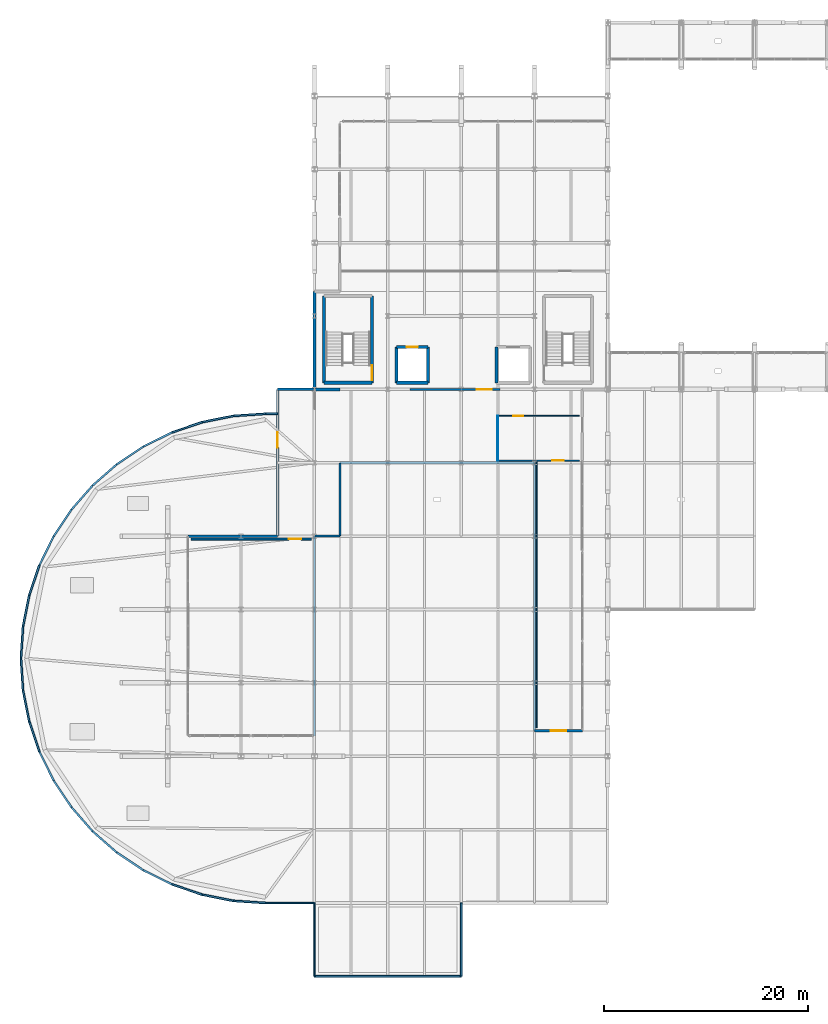
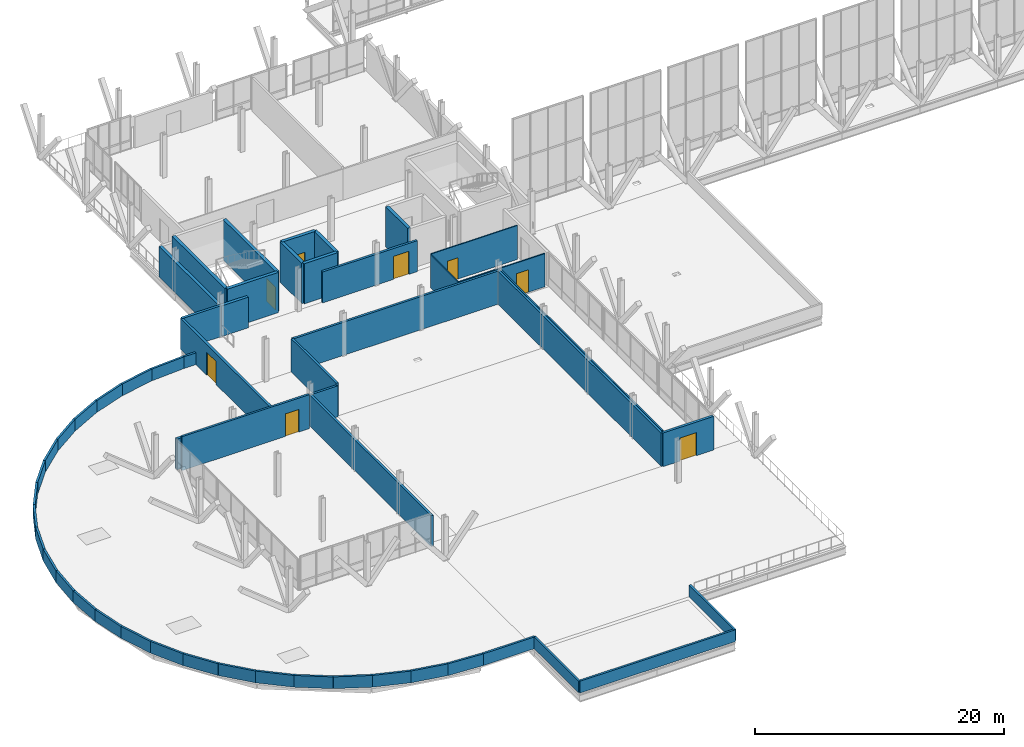
# One storey, part 91 of 102: 54 walls, 8 doors, 8 openings.
"""IFC4 building model written with IfcOpenShell, lengths in metres."""

from ifc_helpers import new_model, si_unit, direction, frame, frame_2d, origin, place, context, subcontext, project, spatial, rectangle, extrude, material, layer, layer_set, type_object, element, fill, save


model = new_model("IFC4")

# Units and contexts
model_context = context("Model", 3, precision=1e-05, world=origin(), true_north=direction((0.0, 1.0)))
body_context = subcontext(model_context, "Body", "Model", "MODEL_VIEW")
ifc_project = project(units=[si_unit("LENGTHUNIT", "METRE"), si_unit("AREAUNIT", "SQUARE_METRE"), si_unit("VOLUMEUNIT", "CUBIC_METRE"), si_unit("PLANEANGLEUNIT", "RADIAN"), si_unit("MASSUNIT", "GRAM", prefix="KILO")], contexts=[model_context])

# Site, building, storey
site_placement = place(None, origin())
site = spatial("IfcSite", under=ifc_project, at=site_placement, CompositionType="ELEMENT")
building_placement = place(site_placement, origin())
building = spatial("IfcBuilding", under=site, at=building_placement, Name="Yarey Park Central Fire Station", CompositionType="ELEMENT")
storey_placement = place(building_placement, frame((0.0, 0.0, 6.0)))
storey = spatial("IfcBuildingStorey", under=building, at=storey_placement, Name="L02", CompositionType="ELEMENT", Elevation=6.0)

# Walls
ifc_material_1 = material(Name="Concrete C35/45", Category="concrete")
ifc_layer_1 = layer(ifc_material_1, 0.280029296875)
ifc_layer_set_1 = layer_set([ifc_layer_1], Name="Concrete C35/45")
wall_type_1 = type_object("IfcWallType", Name="ENV_WALL_CMU280", PredefinedType="STANDARD", material=ifc_layer_set_1)
wall_1_placement = place(storey_placement, frame((28.800048828125, 67.199951171875, 0.0), z_axis=(0.0, 0.0, 1.0), x_axis=(0.0, -1.0, 0.0)))
element("IfcWall", 1, at=wall_1_placement, inside=storey, type_object=wall_type_1, Name="EW_L02_V3_W_CORE", PredefinedType="STANDARD", context=body_context, shape_type="SweptSolid", body=[
    extrude(rectangle(XDim=9.599853515625, YDim=0.280029296875, at=frame_2d((4.7998046875, 0.0))), origin(), (0.0, 0.0, 1.0), 3.0),
])
wall_2_placement = place(storey_placement, frame((28.800048828125, 57.60009765625, 0.0), z_axis=(0.0, 0.0, 1.0), x_axis=(1.0, 0.0, 0.0)))
element("IfcWall", 2, at=wall_2_placement, inside=storey, type_object=wall_type_1, Name="EW_L02_V3_STEP_S", PredefinedType="STANDARD", context=body_context, shape_type="SweptSolid", body=[
    extrude(rectangle(XDim=2.5, YDim=0.280029296875, at=frame_2d((1.25, 0.0))), origin(), (0.0, 0.0, 1.0), 3.0),
])
ifc_layer_2 = layer(ifc_material_1, 0.205078125)
ifc_layer_set_2 = layer_set([ifc_layer_2], Name="Concrete C35/45")
wall_type_2 = type_object("IfcWallType", Name="ENV_WALL_INS205", PredefinedType="STANDARD", material=ifc_layer_set_2)
wall_3_placement = place(storey_placement, frame((31.300048828125, 50.39990234375, 0.0), z_axis=(0.0, 0.0, 1.0), x_axis=(1.0, 0.0, 0.0)))
element("IfcWall", 3, at=wall_3_placement, inside=storey, type_object=wall_type_2, Name="EW_L02_CTYD_N", PredefinedType="STANDARD", context=body_context, shape_type="SweptSolid", body=[
    extrude(rectangle(XDim=19.099853515625, YDim=0.205078125, at=frame_2d((9.5498046875, 0.0))), origin(), (0.0, 0.0, 1.0), 3.2470703125),
])
wall_4_placement = place(storey_placement, frame((28.800048828125, 23.60009765625, 0.0), z_axis=(0.0, 0.0, 1.0), x_axis=(0.0, 1.0, 0.0)))
element("IfcWall", 4, at=wall_4_placement, inside=storey, type_object=wall_type_2, Name="EW_L02_CTYD_W1", PredefinedType="STANDARD", context=body_context, shape_type="SweptSolid", body=[
    extrude(rectangle(XDim=19.599853515625, YDim=0.205078125, at=frame_2d((9.7998046875, 0.0))), origin(), (0.0, 0.0, 1.0), 3.028076171875),
])
wall_5_placement = place(storey_placement, frame((31.300048828125, 43.199951171875, 0.0), z_axis=(0.0, 0.0, 1.0), x_axis=(0.0, 1.0, 0.0)))
element("IfcWall", 5, at=wall_5_placement, inside=storey, type_object=wall_type_2, Name="EW_L02_CTYD_W2", PredefinedType="STANDARD", context=body_context, shape_type="SweptSolid", body=[
    extrude(rectangle(XDim=7.199951171875, YDim=0.205078125, at=frame_2d((3.60009765625, 0.0))), origin(), (0.0, 0.0, 1.0), 3.2470703125),
])
wall_6_placement = place(storey_placement, frame((28.800048828125, 43.199951171875, 0.0), z_axis=(0.0, 0.0, 1.0), x_axis=(1.0, 0.0, 0.0)))
element("IfcWall", 6, at=wall_6_placement, inside=storey, type_object=wall_type_2, Name="EW_L02_CTYD_WS", PredefinedType="STANDARD", context=body_context, shape_type="SweptSolid", body=[
    extrude(rectangle(XDim=2.5, YDim=0.205078125, at=frame_2d((1.25, 0.0))), origin(), (0.0, 0.0, 1.0), 3.028076171875),
])
wall_7_placement = place(storey_placement, frame((50.39990234375, 50.39990234375, 0.0), z_axis=(0.0, 0.0, 1.0), x_axis=(0.0, -1.0, 0.0)))
element("IfcWall", 7, at=wall_7_placement, inside=storey, type_object=wall_type_2, Name="EW_L02_CTYD_E", PredefinedType="STANDARD", context=body_context, shape_type="SweptSolid", body=[
    extrude(rectangle(XDim=26.2998046875, YDim=0.205078125, at=frame_2d((13.14990234375, 0.0))), origin(), (0.0, 0.0, 1.0), 3.2470703125),
])

# Wall, opening, door
ifc_layer_3 = layer(ifc_material_1, 0.22998046875)
ifc_layer_set_3 = layer_set([ifc_layer_3], Name="Concrete C35/45")
wall_type_3 = type_object("IfcWallType", Name="ENV_WALL_INS230", PredefinedType="STANDARD", material=ifc_layer_set_3)
wall_8_placement = place(storey_placement, frame((25.199951171875, 57.60009765625, 0.0), z_axis=(0.0, 0.0, 1.0), x_axis=(0.0, -1.0, 0.0)))
wall_8 = element("IfcWall", 8, at=wall_8_placement, inside=storey, type_object=wall_type_3, Name="EW_L02_V1_DRUM_DOOR", PredefinedType="STANDARD", context=body_context, shape_type="SweptSolid", body=[
    extrude(rectangle(XDim=14.400146484375, YDim=0.22998046875, at=frame_2d((7.2001953125, 0.0))), origin(), (0.0, 0.0, 1.0), 3.028076171875),
])
opening_1_placement = place(wall_8_placement, frame((4.199951171875, 0.0, 0.0)))
opening_1 = element("IfcOpeningElement", 9, at=opening_1_placement, cuts=wall_8, Name="Opening TD-152", PredefinedType="OPENING", context=body_context, shape_type="SweptSolid", body=[
    extrude(rectangle(XDim=1.52001953125, YDim=2.260009765625, at=frame_2d((0.760009765625, 1.1298828125))), frame((0.0, 0.125, 0.0), z_axis=(0.0, -1.0, 0.0), x_axis=(1.0, 0.0, 0.0)), (0.0, 0.0, 1.0), 0.25),
])
ifc_material_2 = material(Name="Anodized Aluminium Frame", Category="aluminium")
door_type_1 = type_object("IfcDoorType", Name="ENV_DOOR_TER1520", OperationType="NOTDEFINED", PredefinedType="DOOR", material=ifc_material_2)
door_1_placement = place(opening_1_placement, origin())
door_1 = element("IfcDoor", 10, at=door_1_placement, inside=storey, type_object=door_type_1, Name="DOOR_L02_DRUM_TER", OperationType="SINGLE_SWING_LEFT", OverallHeight=2.260009765625, OverallWidth=1.52001953125, PredefinedType="DOOR", context=body_context, shape_type="SweptSolid", body=[
    extrude(rectangle(XDim=1.52001953125, YDim=2.260009765625, at=frame_2d((0.760009765625, 1.1298828125))), frame((0.0, 0.02490234375, 0.0), z_axis=(0.0, -1.0, 0.0), x_axis=(1.0, 0.0, 0.0)), (0.0, 0.0, 1.0), 0.050048828125),
])
fill(opening_1, door_1)

# Walls
wall_9_placement = place(storey_placement, frame((28.800048828125, 57.60009765625, 0.0), z_axis=(0.0, 0.0, 1.0), x_axis=(-1.0, 0.0, 0.0)))
element("IfcWall", 11, at=wall_9_placement, inside=storey, type_object=wall_type_3, Name="EW_L02_DRUM_N_CAP", PredefinedType="STANDARD", context=body_context, shape_type="SweptSolid", body=[
    extrude(rectangle(XDim=3.60009765625, YDim=0.22998046875, at=frame_2d((1.800048828125, 0.0))), origin(), (0.0, 0.0, 1.0), 3.028076171875),
])
wall_10_placement = place(storey_placement, frame((25.199951171875, 43.199951171875, 0.0), z_axis=(0.0, 0.0, 1.0), x_axis=(-1.0, 0.0, 0.0)))
element("IfcWall", 12, at=wall_10_placement, inside=storey, type_object=wall_type_3, Name="EW_L02_DRUM_N", PredefinedType="STANDARD", context=body_context, shape_type="SweptSolid", body=[
    extrude(rectangle(XDim=8.800048828125, YDim=0.22998046875, at=frame_2d((4.39990234375, 0.0))), origin(), (0.0, 0.0, 1.0), 3.028076171875),
])

# Wall, opening, door
wall_11_placement = place(storey_placement, frame((50.39990234375, 24.10009765625, 0.0), z_axis=(0.0, 0.0, 1.0), x_axis=(1.0, 0.0, 0.0)))
wall_11 = element("IfcWall", 13, at=wall_11_placement, inside=storey, type_object=wall_type_3, Name="EW_L02_V1_STER_DOOR", PredefinedType="STANDARD", context=body_context, shape_type="SweptSolid", body=[
    extrude(rectangle(XDim=4.7001953125, YDim=0.22998046875, at=frame_2d((2.35009765625, 0.0))), origin(), (0.0, 0.0, 1.0), 3.300048828125),
])
opening_2_placement = place(wall_11_placement, frame((1.590087890625, 0.0, 0.0)))
opening_2 = element("IfcOpeningElement", 14, at=opening_2_placement, cuts=wall_11, Name="Opening TD-152", PredefinedType="OPENING", context=body_context, shape_type="SweptSolid", body=[
    extrude(rectangle(XDim=1.52001953125, YDim=2.260009765625, at=frame_2d((0.760009765625, 1.1298828125))), frame((0.0, 0.125, 0.0), z_axis=(0.0, -1.0, 0.0), x_axis=(1.0, 0.0, 0.0)), (0.0, 0.0, 1.0), 0.25),
])
door_2_placement = place(opening_2_placement, origin())
door_2 = element("IfcDoor", 15, at=door_2_placement, inside=storey, type_object=door_type_1, Name="DOOR_L02_TER_PODIUM", OperationType="SINGLE_SWING_LEFT", OverallHeight=2.260009765625, OverallWidth=1.52001953125, PredefinedType="DOOR", context=body_context, shape_type="SweptSolid", body=[
    extrude(rectangle(XDim=1.52001953125, YDim=2.260009765625, at=frame_2d((0.760009765625, 1.1298828125))), frame((0.0, 0.02490234375, 0.0), z_axis=(0.0, -1.0, 0.0), x_axis=(1.0, 0.0, 0.0)), (0.0, 0.0, 1.0), 0.050048828125),
])
fill(opening_2, door_2)

# Walls
ifc_layer_4 = layer(ifc_material_1, 0.1650390625)
ifc_layer_set_4 = layer_set([ifc_layer_4], Name="Concrete C35/45")
wall_type_4 = type_object("IfcWallType", Name="ENV_WALL_PAR165", PredefinedType="PARAPET", material=ifc_layer_set_4)
wall_12_placement = place(storey_placement, frame((28.800048828125, 7.199951171875, 0.0), z_axis=(0.0, 0.0, 1.0), x_axis=(0.0, -1.0, 0.0)))
element("IfcWall", 16, at=wall_12_placement, inside=storey, type_object=wall_type_4, Name="PAR_L02_02", PredefinedType="PARAPET", context=body_context, shape_type="SweptSolid", body=[
    extrude(rectangle(XDim=7.199951171875, YDim=0.1650390625, at=frame_2d((3.60009765625, 0.0))), origin(), (0.0, 0.0, 1.0), 1.14990234375),
])
ifc_layer_5 = layer(ifc_material_1, 0.18505859375)
ifc_layer_set_5 = layer_set([ifc_layer_5], Name="Concrete C35/45")
wall_type_5 = type_object("IfcWallType", Name="ENV_WALL_PAR185", PredefinedType="PARAPET", material=ifc_layer_set_5)
wall_13_placement = place(storey_placement, frame((28.800048828125, 0.0, 0.0), z_axis=(0.0, 0.0, 1.0), x_axis=(1.0, 0.0, 0.0)))
element("IfcWall", 17, at=wall_13_placement, inside=storey, type_object=wall_type_5, Name="PAR_L02_01", PredefinedType="PARAPET", context=body_context, shape_type="SweptSolid", body=[
    extrude(rectangle(XDim=14.39990234375, YDim=0.18505859375, at=frame_2d((7.199951171875, 0.0))), origin(), (0.0, 0.0, 1.0), 1.14990234375),
])
wall_14_placement = place(storey_placement, frame((43.199951171875, 0.0, 0.0), z_axis=(0.0, 0.0, 1.0), x_axis=(0.0, 1.0, 0.0)))
element("IfcWall", 18, at=wall_14_placement, inside=storey, type_object=wall_type_5, Name="PAR_L02_03", PredefinedType="PARAPET", context=body_context, shape_type="SweptSolid", body=[
    extrude(rectangle(XDim=7.199951171875, YDim=0.18505859375, at=frame_2d((3.60009765625, 0.0))), origin(), (0.0, 0.0, 1.0), 1.14990234375),
])
wall_15_placement = place(storey_placement, frame((25.199951171875, 55.199951171875, 0.0), z_axis=(0.0, 0.0, 1.0), x_axis=(-1.0, 0.0, 0.0)))
element("IfcWall", 19, at=wall_15_placement, inside=storey, type_object=wall_type_5, Name="PAR_L02_DRUM_N_NECK", PredefinedType="PARAPET", context=body_context, shape_type="SweptSolid", body=[
    extrude(rectangle(XDim=1.199951171875, YDim=0.18505859375, at=frame_2d((0.60009765625, 0.0))), origin(), (0.0, 0.0, 1.0), 1.14990234375),
])
wall_16_placement = place(storey_placement, frame((24.0, 7.199951171875, 0.0), z_axis=(0.0, 0.0, 1.0), x_axis=(1.0, 0.0, 0.0)))
element("IfcWall", 20, at=wall_16_placement, inside=storey, type_object=wall_type_5, Name="PAR_L02_DRUM_S_NECK", PredefinedType="PARAPET", context=body_context, shape_type="SweptSolid", body=[
    extrude(rectangle(XDim=4.800048828125, YDim=0.18505859375, at=frame_2d((2.39990234375, 0.0))), origin(), (0.0, 0.0, 1.0), 1.14990234375),
])
for number, where, z_axis, x_axis, name in (
    (21, (24.0, 55.199951171875, 0.0), (0.0, 0.0, 1.0), (-0.997858863202, -0.065404045199, 0.0), "PAR_L02_DRUM_01"),
    (22, (20.867431640625, 54.99462890625, 0.0), (0.0, 0.0, 1.0), (-0.980795438829, -0.19503924521, 0.0), "PAR_L02_DRUM_02"),
    (23, (17.788330078125, 54.38232421875, 0.0), (0.0, 0.0, 1.0), (-0.946911073777, -0.321495596172, 0.0), "PAR_L02_DRUM_03"),
    (24, (14.815673828125, 53.373046875, 0.0), (0.0, 0.0, 1.0), (-0.896886505581, -0.442260778396, 0.0), "PAR_L02_DRUM_04"),
    (25, (12.0, 51.984619140625, 0.0), (0.0, 0.0, 1.0), (-0.831475575397, -0.555561308514, 0.0), "PAR_L02_DRUM_05"),
):
    element("IfcWall", number, at=place(storey_placement, frame(where, z_axis=z_axis, x_axis=x_axis)), inside=storey, type_object=wall_type_5, Name=name, PredefinedType="PARAPET", context=body_context, shape_type="SweptSolid", body=[
        extrude(rectangle(XDim=3.139404296875, YDim=0.18505859375, at=frame_2d((1.56982421875, 0.0))), origin(), (0.0, 0.0, 1.0), 1.14990234375),
    ])
wall_17_placement = place(storey_placement, frame((9.3896484375, 50.240478515625, 0.0), z_axis=(0.0, 0.0, 1.0), x_axis=(-0.751829454472, -0.659357620255, 0.0)))
element("IfcWall", 26, at=wall_17_placement, inside=storey, type_object=wall_type_5, Name="PAR_L02_DRUM_06", PredefinedType="PARAPET", context=body_context, shape_type="SweptSolid", body=[
    extrude(rectangle(XDim=3.13916015625, YDim=0.18505859375, at=frame_2d((1.569580078125, 0.0))), origin(), (0.0, 0.0, 1.0), 1.14990234375),
])
for number, where, z_axis, x_axis, name in (
    (27, (7.029541015625, 48.170654296875, 0.0), (0.0, 0.0, 1.0), (-0.659363026646, -0.75182471301, 0.0), "PAR_L02_DRUM_07"),
    (28, (4.95947265625, 45.810302734375, 0.0), (0.0, 0.0, 1.0), (-0.555561308514, -0.831475575397, 0.0), "PAR_L02_DRUM_08"),
):
    element("IfcWall", number, at=place(storey_placement, frame(where, z_axis=z_axis, x_axis=x_axis)), inside=storey, type_object=wall_type_5, Name=name, PredefinedType="PARAPET", context=body_context, shape_type="SweptSolid", body=[
        extrude(rectangle(XDim=3.139404296875, YDim=0.18505859375, at=frame_2d((1.56982421875, 0.0))), origin(), (0.0, 0.0, 1.0), 1.14990234375),
    ])
wall_18_placement = place(storey_placement, frame((3.21533203125, 43.199951171875, 0.0), z_axis=(0.0, 0.0, 1.0), x_axis=(-0.442291627156, -0.896871293189, 0.0)))
element("IfcWall", 29, at=wall_18_placement, inside=storey, type_object=wall_type_5, Name="PAR_L02_DRUM_09", PredefinedType="PARAPET", context=body_context, shape_type="SweptSolid", body=[
    extrude(rectangle(XDim=3.13916015625, YDim=0.18505859375, at=frame_2d((1.569580078125, 0.0))), origin(), (0.0, 0.0, 1.0), 1.14990234375),
])
for number, where, z_axis, x_axis, name in (
    (30, (1.826904296875, 40.384521484375, 0.0), (0.0, 0.0, 1.0), (-0.321402193691, -0.946942780685, 0.0), "PAR_L02_DRUM_10"),
    (31, (0.81787109375, 37.41162109375, 0.0), (0.0, 0.0, 1.0), (-0.195114052077, -0.980780559902, 0.0), "PAR_L02_DRUM_11"),
    (32, (0.205322265625, 34.33251953125, 0.0), (0.0, 0.0, 1.0), (-0.065404045199, -0.997858863202, 0.0), "PAR_L02_DRUM_12"),
    (33, (0.0, 31.199951171875, 0.0), (0.0, 0.0, 1.0), (0.065404045199, -0.997858863202, 0.0), "PAR_L02_DRUM_13"),
    (34, (0.205322265625, 28.0673828125, 0.0), (0.0, 0.0, 1.0), (0.195114052077, -0.980780559902, 0.0), "PAR_L02_DRUM_14"),
):
    element("IfcWall", number, at=place(storey_placement, frame(where, z_axis=z_axis, x_axis=x_axis)), inside=storey, type_object=wall_type_5, Name=name, PredefinedType="PARAPET", context=body_context, shape_type="SweptSolid", body=[
        extrude(rectangle(XDim=3.139404296875, YDim=0.18505859375, at=frame_2d((1.56982421875, 0.0))), origin(), (0.0, 0.0, 1.0), 1.14990234375),
    ])
wall_19_placement = place(storey_placement, frame((0.81787109375, 24.98828125, 0.0), z_axis=(0.0, 0.0, 1.0), x_axis=(0.32142586303, -0.946934746736, 0.0)))
element("IfcWall", 35, at=wall_19_placement, inside=storey, type_object=wall_type_5, Name="PAR_L02_DRUM_15", PredefinedType="PARAPET", context=body_context, shape_type="SweptSolid", body=[
    extrude(rectangle(XDim=3.13916015625, YDim=0.18505859375, at=frame_2d((1.569580078125, 0.0))), origin(), (0.0, 0.0, 1.0), 1.14990234375),
])
wall_20_placement = place(storey_placement, frame((1.826904296875, 22.015625, 0.0), z_axis=(0.0, 0.0, 1.0), x_axis=(0.442260778396, -0.896886505581, 0.0)))
element("IfcWall", 36, at=wall_20_placement, inside=storey, type_object=wall_type_5, Name="PAR_L02_DRUM_16", PredefinedType="PARAPET", context=body_context, shape_type="SweptSolid", body=[
    extrude(rectangle(XDim=3.139404296875, YDim=0.18505859375, at=frame_2d((1.56982421875, 0.0))), origin(), (0.0, 0.0, 1.0), 1.14990234375),
])
wall_21_placement = place(storey_placement, frame((3.21533203125, 19.199951171875, 0.0), z_axis=(0.0, 0.0, 1.0), x_axis=(0.555597233272, -0.831451570676, 0.0)))
element("IfcWall", 37, at=wall_21_placement, inside=storey, type_object=wall_type_5, Name="PAR_L02_DRUM_17", PredefinedType="PARAPET", context=body_context, shape_type="SweptSolid", body=[
    extrude(rectangle(XDim=3.13916015625, YDim=0.18505859375, at=frame_2d((1.569580078125, 0.0))), origin(), (0.0, 0.0, 1.0), 1.14990234375),
])
for number, where, z_axis, x_axis, name in (
    (38, (4.95947265625, 16.58984375, 0.0), (0.0, 0.0, 1.0), (0.659363026646, -0.75182471301, 0.0), "PAR_L02_DRUM_18"),
    (39, (7.029541015625, 14.2294921875, 0.0), (0.0, 0.0, 1.0), (0.751790901293, -0.659401577745, 0.0), "PAR_L02_DRUM_19"),
    (40, (9.3896484375, 12.159423828125, 0.0), (0.0, 0.0, 1.0), (0.831475575397, -0.555561308514, 0.0), "PAR_L02_DRUM_20"),
    (41, (12.0, 10.415283203125, 0.0), (0.0, 0.0, 1.0), (0.896886505581, -0.442260778396, 0.0), "PAR_L02_DRUM_21"),
):
    element("IfcWall", number, at=place(storey_placement, frame(where, z_axis=z_axis, x_axis=x_axis)), inside=storey, type_object=wall_type_5, Name=name, PredefinedType="PARAPET", context=body_context, shape_type="SweptSolid", body=[
        extrude(rectangle(XDim=3.139404296875, YDim=0.18505859375, at=frame_2d((1.56982421875, 0.0))), origin(), (0.0, 0.0, 1.0), 1.14990234375),
    ])
wall_22_placement = place(storey_placement, frame((14.815673828125, 9.02685546875, 0.0), z_axis=(0.0, 0.0, 1.0), x_axis=(0.946934746736, -0.32142586303, 0.0)))
element("IfcWall", 42, at=wall_22_placement, inside=storey, type_object=wall_type_5, Name="PAR_L02_DRUM_22", PredefinedType="PARAPET", context=body_context, shape_type="SweptSolid", body=[
    extrude(rectangle(XDim=3.13916015625, YDim=0.18505859375, at=frame_2d((1.569580078125, 0.0))), origin(), (0.0, 0.0, 1.0), 1.14990234375),
])
for number, where, z_axis, x_axis, name in (
    (43, (17.788330078125, 8.017822265625, 0.0), (0.0, 0.0, 1.0), (0.980780559902, -0.195114052077, 0.0), "PAR_L02_DRUM_23"),
    (44, (20.867431640625, 7.4052734375, 0.0), (0.0, 0.0, 1.0), (0.997858863202, -0.065404045199, 0.0), "PAR_L02_DRUM_24"),
):
    element("IfcWall", number, at=place(storey_placement, frame(where, z_axis=z_axis, x_axis=x_axis)), inside=storey, type_object=wall_type_5, Name=name, PredefinedType="PARAPET", context=body_context, shape_type="SweptSolid", body=[
        extrude(rectangle(XDim=3.139404296875, YDim=0.18505859375, at=frame_2d((1.56982421875, 0.0))), origin(), (0.0, 0.0, 1.0), 1.14990234375),
    ])
ifc_material_3 = material(Name="Concrete C40/50", Category="concrete")
ifc_layer_6 = layer(ifc_material_3, 0.27001953125)
ifc_layer_set_6 = layer_set([ifc_layer_6], Name="Concrete C40/50")
wall_type_6 = type_object("IfcWallType", Name="INT_CORE_RC270", PredefinedType="SHEAR", material=ifc_layer_set_6)
wall_23_placement = place(storey_placement, frame((36.85009765625, 58.25, 0.0), z_axis=(0.0, 0.0, 1.0), x_axis=(1.0, 0.0, 0.0)))
element("IfcWall", 45, at=wall_23_placement, inside=storey, type_object=wall_type_6, Name="LWALL_C3_L02_S", PredefinedType="SHEAR", context=body_context, shape_type="SweptSolid", body=[
    extrude(rectangle(XDim=3.099853515625, YDim=0.300048828125, at=frame_2d((1.5498046875, 0.0))), origin(), (0.0, 0.0, 1.0), 3.93994140625),
])

# Wall, opening, door
wall_24_placement = place(storey_placement, frame((39.949951171875, 61.75, 0.0), z_axis=(0.0, 0.0, 1.0), x_axis=(-1.0, 0.0, 0.0)))
wall_24 = element("IfcWall", 46, at=wall_24_placement, inside=storey, type_object=wall_type_6, Name="LWALL_C3_L02_N", PredefinedType="SHEAR", context=body_context, shape_type="SweptSolid", body=[
    extrude(rectangle(XDim=3.099853515625, YDim=0.300048828125, at=frame_2d((1.5498046875, 0.0))), origin(), (0.0, 0.0, 1.0), 3.93994140625),
])
opening_3_placement = place(wall_24_placement, frame((1.0, 0.0, 0.0)))
opening_3 = element("IfcOpeningElement", 47, at=opening_3_placement, cuts=wall_24, Name="Opening LD-11", PredefinedType="OPENING", context=body_context, shape_type="SweptSolid", body=[
    extrude(rectangle(XDim=1.10009765625, YDim=2.219970703125, at=frame_2d((0.550048828125, 1.10986328125))), frame((0.0, 0.159912109375, 0.0), z_axis=(0.0, -1.0, 0.0), x_axis=(1.0, 0.0, 0.0)), (0.0, 0.0, 1.0), 0.320068359375),
])
ifc_material_4 = material(Name="Stainless Steel AISI 316L", Category="steel")
door_type_2 = type_object("IfcDoorType", Name="DR_LD_1100", OperationType="NOTDEFINED", PredefinedType="DOOR", material=ifc_material_4)
door_3_placement = place(opening_3_placement, origin())
door_3 = element("IfcDoor", 48, at=door_3_placement, inside=storey, type_object=door_type_2, Name="Lift Landing Door LF-3-L02", OperationType="SLIDING_TO_LEFT", OverallHeight=2.219970703125, OverallWidth=1.10009765625, PredefinedType="DOOR", context=body_context, shape_type="SweptSolid", body=[
    extrude(rectangle(XDim=1.10009765625, YDim=2.219970703125, at=frame_2d((0.550048828125, 1.10986328125))), frame((0.0, 0.02490234375, 0.0), z_axis=(0.0, -1.0, 0.0), x_axis=(1.0, 0.0, 0.0)), (0.0, 0.0, 1.0), 0.050048828125),
])
fill(opening_3, door_3)

# Walls
for number, where, z_axis, x_axis, name in (
    (49, (36.85009765625, 61.75, 0.0), (0.0, 0.0, 1.0), (0.0, -1.0, 0.0), "LWALL_C3_L02_W"),
    (50, (39.949951171875, 58.25, 0.0), (0.0, 0.0, 1.0), (0.0, 1.0, 0.0), "LWALL_C3_L02_E"),
    (51, (46.64990234375, 61.75, 0.0), (0.0, 0.0, 1.0), (0.0, -1.0, 0.0), "LWALL_C4_L02_W"),
):
    element("IfcWall", number, at=place(storey_placement, frame(where, z_axis=z_axis, x_axis=x_axis)), inside=storey, type_object=wall_type_6, Name=name, PredefinedType="SHEAR", context=body_context, shape_type="SweptSolid", body=[
        extrude(rectangle(XDim=3.5, YDim=0.300048828125, at=frame_2d((1.75, 0.0))), origin(), (0.0, 0.0, 1.0), 3.93994140625),
    ])
ifc_layer_7 = layer(ifc_material_3, 0.300048828125)
ifc_layer_set_7 = layer_set([ifc_layer_7], Name="Concrete C40/50")
wall_type_7 = type_object("IfcWallType", Name="INT_CORE_RC300", PredefinedType="SHEAR", material=ifc_layer_set_7)
wall_25_placement = place(storey_placement, frame((29.75, 58.25, 0.0), z_axis=(0.0, 0.0, 1.0), x_axis=(1.0, 0.0, 0.0)))
element("IfcWall", 52, at=wall_25_placement, inside=storey, type_object=wall_type_7, Name="CWALL_C3_L02_S", PredefinedType="SHEAR", context=body_context, shape_type="SweptSolid", body=[
    extrude(rectangle(XDim=4.699951171875, YDim=0.300048828125, at=frame_2d((2.35009765625, 0.0))), origin(), (0.0, 0.0, 1.0), 3.93994140625),
])
wall_26_placement = place(storey_placement, frame((29.75, 66.75, 0.0), z_axis=(0.0, 0.0, 1.0), x_axis=(0.0, -1.0, 0.0)))
element("IfcWall", 53, at=wall_26_placement, inside=storey, type_object=wall_type_7, Name="CWALL_C3_L02_W", PredefinedType="SHEAR", context=body_context, shape_type="SweptSolid", body=[
    extrude(rectangle(XDim=8.5, YDim=0.300048828125, at=frame_2d((4.25, 0.0))), origin(), (0.0, 0.0, 1.0), 3.93994140625),
])

# Wall, opening, door
wall_27_placement = place(storey_placement, frame((34.449951171875, 58.25, 0.0), z_axis=(0.0, 0.0, 1.0), x_axis=(0.0, 1.0, 0.0)))
wall_27 = element("IfcWall", 54, at=wall_27_placement, inside=storey, type_object=wall_type_7, Name="CWALL_C3_L02_E", PredefinedType="SHEAR", context=body_context, shape_type="SweptSolid", body=[
    extrude(rectangle(XDim=8.5, YDim=0.300048828125, at=frame_2d((4.25, 0.0))), origin(), (0.0, 0.0, 1.0), 3.93994140625),
])
opening_4_placement = place(wall_27_placement, frame((0.25, 0.0, 0.0)))
opening_4 = element("IfcOpeningElement", 55, at=opening_4_placement, cuts=wall_27, Name="Opening SD-146", PredefinedType="OPENING", context=body_context, shape_type="SweptSolid", body=[
    extrude(rectangle(XDim=1.4599609375, YDim=2.239990234375, at=frame_2d((0.72998046875, 1.1201171875))), frame((0.0, 0.159912109375, 0.0), z_axis=(0.0, -1.0, 0.0), x_axis=(1.0, 0.0, 0.0)), (0.0, 0.0, 1.0), 0.320068359375),
])
ifc_material_5 = material(Name="Galvanized Hollow Metal Door", Category="metal")
door_type_3 = type_object("IfcDoorType", Name="DR_STAIR_1460", OperationType="NOTDEFINED", PredefinedType="DOOR", material=ifc_material_5)
door_4_placement = place(opening_4_placement, origin())
door_4 = element("IfcDoor", 56, at=door_4_placement, inside=storey, type_object=door_type_3, Name="DOOR_STAIR_C3_L02", OperationType="SINGLE_SWING_RIGHT", OverallHeight=2.239990234375, OverallWidth=1.4599609375, PredefinedType="DOOR", context=body_context, shape_type="SweptSolid", body=[
    extrude(rectangle(XDim=1.4599609375, YDim=2.239990234375, at=frame_2d((0.72998046875, 1.1201171875))), frame((0.0, 0.02490234375, 0.0), z_axis=(0.0, -1.0, 0.0), x_axis=(1.0, 0.0, 0.0)), (0.0, 0.0, 1.0), 0.050048828125),
])
fill(opening_4, door_4)

ifc_layer_8 = layer(ifc_material_1, 0.18994140625)
ifc_layer_set_8 = layer_set([ifc_layer_8], Name="Concrete C35/45")
wall_type_8 = type_object("IfcWallType", Name="INT_WALL_CMU190", PredefinedType="STANDARD", material=ifc_layer_set_8)
wall_28_placement = place(storey_placement, frame((28.5, 42.89990234375, 0.0), z_axis=(0.0, 0.0, 1.0), x_axis=(-1.0, 0.0, 0.0)))
wall_28 = element("IfcWall", 57, at=wall_28_placement, inside=storey, type_object=wall_type_8, Name="PART_SPC_L02_BAMAZE_NORTH", PredefinedType="STANDARD", context=body_context, shape_type="SweptSolid", body=[
    extrude(rectangle(XDim=11.800048828125, YDim=0.18994140625, at=frame_2d((5.89990234375, 0.0))), origin(), (0.0, 0.0, 1.0), 3.327880859375),
])
opening_5_placement = place(wall_28_placement, frame((0.969970703125, 0.0, 0.0)))
opening_5 = element("IfcOpeningElement", 58, at=opening_5_placement, cuts=wall_28, Name="Opening FD-126", PredefinedType="OPENING", context=body_context, shape_type="SweptSolid", body=[
    extrude(rectangle(XDim=1.260009765625, YDim=2.219970703125, at=frame_2d((0.6298828125, 1.10986328125))), frame((0.0, 0.10498046875, 0.0), z_axis=(0.0, -1.0, 0.0), x_axis=(1.0, 0.0, 0.0)), (0.0, 0.0, 1.0), 0.2099609375),
])
door_type_4 = type_object("IfcDoorType", Name="DR_FD_1260", OperationType="NOTDEFINED", PredefinedType="DOOR", material=ifc_material_5)
door_5_placement = place(opening_5_placement, origin())
door_5 = element("IfcDoor", 59, at=door_5_placement, inside=storey, type_object=door_type_4, Name="DOOR_SPC_L02_BAMAZE", OperationType="SINGLE_SWING_LEFT", OverallHeight=2.219970703125, OverallWidth=1.260009765625, PredefinedType="DOOR", context=body_context, shape_type="SweptSolid", body=[
    extrude(rectangle(XDim=1.260009765625, YDim=2.219970703125, at=frame_2d((0.6298828125, 1.10986328125))), frame((0.0, 0.02490234375, 0.0), z_axis=(0.0, -1.0, 0.0), x_axis=(1.0, 0.0, 0.0)), (0.0, 0.0, 1.0), 0.050048828125),
])
fill(opening_5, door_5)

ifc_layer_9 = layer(ifc_material_1, 0.215087890625)
ifc_layer_set_9 = layer_set([ifc_layer_9], Name="Concrete C35/45")
wall_type_9 = type_object("IfcWallType", Name="INT_WALL_FB215", PredefinedType="STANDARD", material=ifc_layer_set_9)
wall_29_placement = place(storey_placement, frame((38.199951171875, 57.60009765625, 0.0), z_axis=(0.0, 0.0, 1.0), x_axis=(1.0, 0.0, 0.0)))
wall_29 = element("IfcWall", 60, at=wall_29_placement, inside=storey, type_object=wall_type_9, Name="IW_L02_SOUTH_LOBBY", PredefinedType="STANDARD", context=body_context, shape_type="SweptSolid", body=[
    extrude(rectangle(XDim=8.800048828125, YDim=0.215087890625, at=frame_2d((4.39990234375, 0.0))), origin(), (0.0, 0.0, 1.0), 3.028076171875),
])
opening_6_placement = place(wall_29_placement, frame((6.550048828125, 0.0, 0.0)))
opening_6 = element("IfcOpeningElement", 61, at=opening_6_placement, cuts=wall_29, Name="Opening FD-146", PredefinedType="OPENING", context=body_context, shape_type="SweptSolid", body=[
    extrude(rectangle(XDim=1.4599609375, YDim=2.260009765625, at=frame_2d((0.72998046875, 1.1298828125))), frame((0.0, 0.117431640625, 0.0), z_axis=(0.0, -1.0, 0.0), x_axis=(1.0, 0.0, 0.0)), (0.0, 0.0, 1.0), 0.235107421875),
])
door_type_5 = type_object("IfcDoorType", Name="DR_FD_1460", OperationType="NOTDEFINED", PredefinedType="DOOR", material=ifc_material_5)
door_6_placement = place(opening_6_placement, origin())
door_6 = element("IfcDoor", 62, at=door_6_placement, inside=storey, type_object=door_type_5, Name="DOOR_L02_SOUTH_LOBBY", OperationType="SINGLE_SWING_RIGHT", OverallHeight=2.260009765625, OverallWidth=1.4599609375, PredefinedType="DOOR", context=body_context, shape_type="SweptSolid", body=[
    extrude(rectangle(XDim=1.4599609375, YDim=2.260009765625, at=frame_2d((0.72998046875, 1.1298828125))), frame((0.0, 0.02490234375, 0.0), z_axis=(0.0, -1.0, 0.0), x_axis=(1.0, 0.0, 0.0)), (0.0, 0.0, 1.0), 0.050048828125),
])
fill(opening_6, door_6)

# Wall
ifc_material_6 = material(Name="Gypsum Acoustic Partition", Category="gypsum")
ifc_layer_10 = layer(ifc_material_6, 0.0859375)
ifc_layer_set_10 = layer_set([ifc_layer_10], Name="Gypsum Acoustic Partition")
wall_type_10 = type_object("IfcWallType", Name="INT_WALL_PT086", PredefinedType="STANDARD", material=ifc_layer_set_10)
wall_30_placement = place(storey_placement, frame((46.800048828125, 55.0, 0.0), z_axis=(0.0, 0.0, 1.0), x_axis=(0.0, -1.0, 0.0)))
element("IfcWall", 63, at=wall_30_placement, inside=storey, type_object=wall_type_10, Name="PART_SPC_L02_V3_WC_WEST", PredefinedType="STANDARD", context=body_context, shape_type="SweptSolid", body=[
    extrude(rectangle(XDim=4.39990234375, YDim=0.0859375, at=frame_2d((2.199951171875, 0.0))), origin(), (0.0, 0.0, 1.0), 3.2470703125),
])

# Wall, opening, door
ifc_layer_11 = layer(ifc_material_6, 0.10205078125)
ifc_layer_set_11 = layer_set([ifc_layer_11], Name="Gypsum Acoustic Partition")
wall_type_11 = type_object("IfcWallType", Name="INT_WALL_PT102", PredefinedType="STANDARD", material=ifc_layer_set_11)
wall_31_placement = place(storey_placement, frame((54.800048828125, 55.0, 0.0), z_axis=(0.0, 0.0, 1.0), x_axis=(-1.0, 0.0, 0.0)))
wall_31 = element("IfcWall", 64, at=wall_31_placement, inside=storey, type_object=wall_type_11, Name="PART_SPC_L02_V3_WC_NORTH", PredefinedType="STANDARD", context=body_context, shape_type="SweptSolid", body=[
    extrude(rectangle(XDim=8.0, YDim=0.10205078125, at=frame_2d((4.0, 0.0))), origin(), (0.0, 0.0, 1.0), 3.327880859375),
])
opening_7_placement = place(wall_31_placement, frame((5.52001953125, 0.0, 0.0)))
opening_7 = element("IfcOpeningElement", 65, at=opening_7_placement, cuts=wall_31, Name="Opening WD-096", PredefinedType="OPENING", context=body_context, shape_type="SweptSolid", body=[
    extrude(rectangle(XDim=0.9599609375, YDim=2.10009765625, at=frame_2d((0.47998046875, 1.050048828125))), frame((0.0, 0.06103515625, 0.0), z_axis=(0.0, -1.0, 0.0), x_axis=(1.0, 0.0, 0.0)), (0.0, 0.0, 1.0), 0.1220703125),
])
ifc_material_7 = material(Name="Phenolic Moisture-Resistant Leaf", Category="wood")
door_type_6 = type_object("IfcDoorType", Name="DR_WC_960", OperationType="NOTDEFINED", PredefinedType="DOOR", material=ifc_material_7)
door_7_placement = place(opening_7_placement, origin())
door_7 = element("IfcDoor", 66, at=door_7_placement, inside=storey, type_object=door_type_6, Name="DOOR_SPC_L02_V3_WC", OperationType="SINGLE_SWING_RIGHT", OverallHeight=2.10009765625, OverallWidth=0.9599609375, PredefinedType="DOOR", context=body_context, shape_type="SweptSolid", body=[
    extrude(rectangle(XDim=0.9599609375, YDim=2.10009765625, at=frame_2d((0.47998046875, 1.050048828125))), frame((0.0, 0.02490234375, 0.0), z_axis=(0.0, -1.0, 0.0), x_axis=(1.0, 0.0, 0.0)), (0.0, 0.0, 1.0), 0.050048828125),
])
fill(opening_7, door_7)

ifc_layer_12 = layer(ifc_material_6, 0.117919921875)
ifc_layer_set_12 = layer_set([ifc_layer_12], Name="Gypsum Acoustic Partition")
wall_type_12 = type_object("IfcWallType", Name="INT_WALL_PT118", PredefinedType="STANDARD", material=ifc_layer_set_12)
wall_32_placement = place(storey_placement, frame((46.800048828125, 50.60009765625, 0.0), z_axis=(0.0, 0.0, 1.0), x_axis=(1.0, 0.0, 0.0)))
wall_32 = element("IfcWall", 67, at=wall_32_placement, inside=storey, type_object=wall_type_12, Name="PART_SPC_L02_V3_WC_SOUTH", PredefinedType="STANDARD", context=body_context, shape_type="SweptSolid", body=[
    extrude(rectangle(XDim=8.0, YDim=0.117919921875, at=frame_2d((4.0, 0.0))), origin(), (0.0, 0.0, 1.0), 3.2470703125),
])
opening_8_placement = place(wall_32_placement, frame((5.330078125, 0.0, 0.0)))
opening_8 = element("IfcOpeningElement", 68, at=opening_8_placement, cuts=wall_32, Name="Opening ID-114", PredefinedType="OPENING", context=body_context, shape_type="SweptSolid", body=[
    extrude(rectangle(XDim=1.139892578125, YDim=2.199951171875, at=frame_2d((0.56982421875, 1.10009765625))), frame((0.0, 0.06884765625, 0.0), z_axis=(0.0, -1.0, 0.0), x_axis=(1.0, 0.0, 0.0)), (0.0, 0.0, 1.0), 0.137939453125),
])
ifc_material_8 = material(Name="Hardwood Acoustic Leaf", Category="wood")
door_type_7 = type_object("IfcDoorType", Name="DR_INT_1140", OperationType="NOTDEFINED", PredefinedType="DOOR", material=ifc_material_8)
door_8_placement = place(opening_8_placement, origin())
door_8 = element("IfcDoor", 69, at=door_8_placement, inside=storey, type_object=door_type_7, Name="DOOR_SPC_L02_CADET", OperationType="SINGLE_SWING_RIGHT", OverallHeight=2.199951171875, OverallWidth=1.139892578125, PredefinedType="DOOR", context=body_context, shape_type="SweptSolid", body=[
    extrude(rectangle(XDim=1.139892578125, YDim=2.199951171875, at=frame_2d((0.56982421875, 1.10009765625))), frame((0.0, 0.02490234375, 0.0), z_axis=(0.0, -1.0, 0.0), x_axis=(1.0, 0.0, 0.0)), (0.0, 0.0, 1.0), 0.050048828125),
])
fill(opening_8, door_8)

# Wall
ifc_layer_13 = layer(ifc_material_6, 0.134033203125)
ifc_layer_set_13 = layer_set([ifc_layer_13], Name="Gypsum Acoustic Partition")
wall_type_13 = type_object("IfcWallType", Name="INT_WALL_PT134", PredefinedType="STANDARD", material=ifc_layer_set_13)
wall_33_placement = place(storey_placement, frame((50.60009765625, 50.60009765625, 0.0), z_axis=(0.0, 0.0, 1.0), x_axis=(0.0, -1.0, 0.0)))
element("IfcWall", 70, at=wall_33_placement, inside=storey, type_object=wall_type_13, Name="PART_SPC_L02_CADET_WEST", PredefinedType="STANDARD", context=body_context, shape_type="SweptSolid", body=[
    extrude(rectangle(XDim=26.2001953125, YDim=0.134033203125, at=frame_2d((13.10009765625, 0.0))), origin(), (0.0, 0.0, 1.0), 3.2470703125),
])

save(model, "model.ifc")
